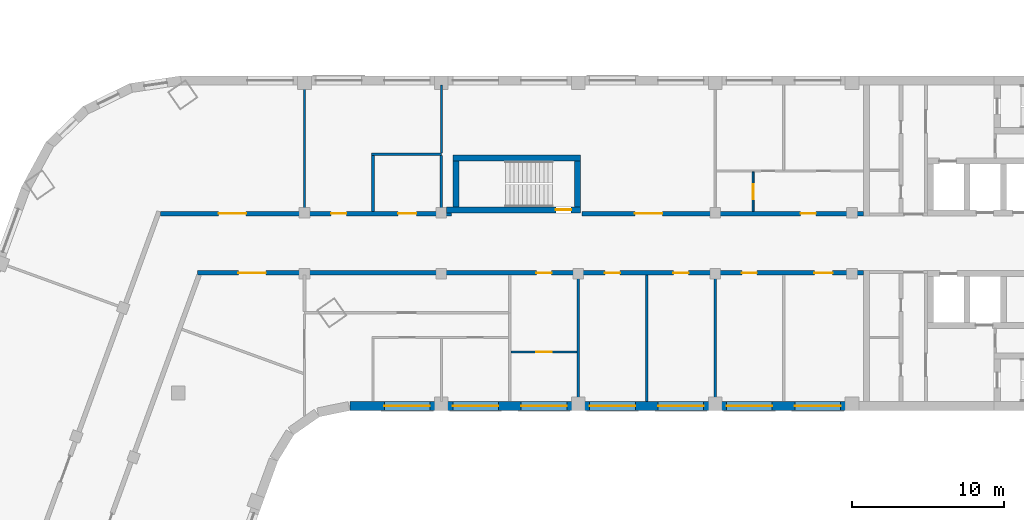
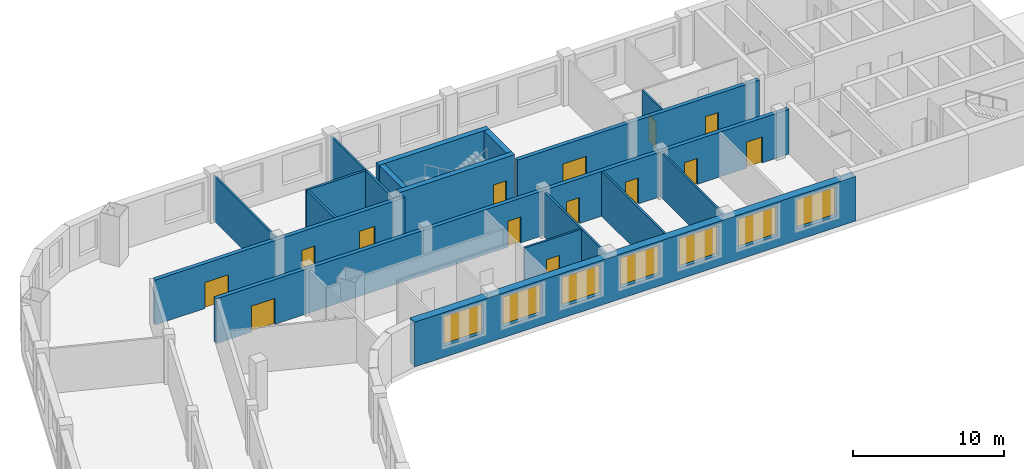
# One storey, part 4 of 12: 18 walls, 14 doors, 7 windows, 21 openings.
"""IFC4 building model written with IfcOpenShell, lengths in metres."""

from ifc_helpers import new_model, si_unit, direction, frame, frame_2d, origin, place, context, subcontext, project, spatial, rectangle, extrude, material, layer, layer_set, type_object, element, fill, save


model = new_model("IFC4")

# Units and contexts
model_context = context("Model", 3, precision=1e-05, world=origin(), true_north=direction((0.0, 1.0)))
body_context = subcontext(model_context, "Body", "Model", "MODEL_VIEW")
ifc_project = project(units=[si_unit("LENGTHUNIT", "METRE"), si_unit("AREAUNIT", "SQUARE_METRE"), si_unit("VOLUMEUNIT", "CUBIC_METRE"), si_unit("PLANEANGLEUNIT", "RADIAN"), si_unit("MASSUNIT", "GRAM", prefix="KILO")], contexts=[model_context])

# Site, building, storey
site_placement = place(None, origin())
site = spatial("IfcSite", under=ifc_project, at=site_placement, CompositionType="ELEMENT")
building_placement = place(site_placement, origin())
building = spatial("IfcBuilding", under=site, at=building_placement, Name="Skarvind Civic Tower", CompositionType="ELEMENT")
storey_placement = place(building_placement, frame((0.0, 0.0, 35.5)))
storey = spatial("IfcBuildingStorey", under=building, at=storey_placement, Name="L07", CompositionType="ELEMENT", Elevation=35.5)

# Walls
ifc_material_1 = material(Name="Acoustic gypsum board on steel studs", Category="steel")
ifc_layer_1 = layer(ifc_material_1, 0.175048828125)
ifc_layer_set_1 = layer_set([ifc_layer_1], Name="ACOUSTIC MEETING-ROOM PARTITION 175")
wall_type_1 = type_object("IfcWallType", Name="ACOUSTIC MEETING-ROOM PARTITION 175", PredefinedType="PARTITIONING", material=ifc_layer_set_1)
wall_1_placement = place(storey_placement, frame((58.75, 130.10009765625, 0.0), z_axis=(0.0, 0.0, 1.0), x_axis=(0.0, 1.0, 0.0)))
element("IfcWall", 1, at=wall_1_placement, inside=storey, type_object=wall_type_1, Name="Partition 07.014", PredefinedType="PARTITIONING", context=body_context, shape_type="SweptSolid", body=[
    extrude(rectangle(XDim=3.661865234375, YDim=0.175048828125, at=frame_2d((1.8310546875, 0.0))), origin(), (0.0, 0.0, 1.0), 3.625),
])
wall_2_placement = place(storey_placement, frame((58.662109375, 133.85009765625, 0.0), z_axis=(0.0, 0.0, 1.0), x_axis=(1.0, 0.0, 0.0)))
element("IfcWall", 2, at=wall_2_placement, inside=storey, type_object=wall_type_1, Name="Partition 07.015", PredefinedType="PARTITIONING", context=body_context, shape_type="SweptSolid", body=[
    extrude(rectangle(XDim=4.587890625, YDim=0.175048828125, at=frame_2d((2.2939453125, 0.0))), origin(), (0.0, 0.0, 1.0), 3.625),
])
wall_3_placement = place(storey_placement, frame((63.25, 130.10009765625, 0.0), z_axis=(0.0, 0.0, 1.0), x_axis=(0.0, 1.0, 0.0)))
element("IfcWall", 3, at=wall_3_placement, inside=storey, type_object=wall_type_1, Name="Partition 07.017", PredefinedType="PARTITIONING", context=body_context, shape_type="SweptSolid", body=[
    extrude(rectangle(XDim=3.677978515625, YDim=0.175048828125, at=frame_2d((1.8388671875, 0.0))), origin(), (0.0, 0.0, 1.0), 3.625),
])

# Wall, openings, doors
ifc_material_2 = material(Name="Fire-rated gypsum board on steel studs", Category="steel")
ifc_layer_2 = layer(ifc_material_2, 0.300048828125)
ifc_layer_set_2 = layer_set([ifc_layer_2], Name="CORRIDOR WALL 300")
wall_type_2 = type_object("IfcWallType", Name="CORRIDOR WALL 300", PredefinedType="PARTITIONING", material=ifc_layer_set_2)
wall_4_placement = place(storey_placement, frame((44.784912109375, 129.949951171875, 0.0), z_axis=(0.0, 0.0, 1.0), x_axis=(1.0, 0.0, 0.0)))
wall_4 = element("IfcWall", 4, at=wall_4_placement, inside=storey, type_object=wall_type_2, Name="Partition 07.005", PredefinedType="PARTITIONING", context=body_context, shape_type="SweptSolid", body=[
    extrude(rectangle(XDim=19.114990234375, YDim=0.300048828125, at=frame_2d((9.5576171875, 0.0))), origin(), (0.0, 0.0, 1.0), 3.625),
])
opening_1_placement = place(wall_4_placement, frame((15.614990234375, 0.0, 0.0)))
opening_1 = element("IfcOpeningElement", 5, at=opening_1_placement, cuts=wall_4, Name="Opening L07-D006", PredefinedType="OPENING", context=body_context, shape_type="SweptSolid", body=[
    extrude(rectangle(XDim=1.199951171875, YDim=2.10009765625, at=frame_2d((0.60009765625, 1.050048828125))), frame((0.0, 0.159912109375, 0.0), z_axis=(0.0, -1.0, 0.0), x_axis=(1.0, 0.0, 0.0)), (0.0, 0.0, 1.0), 0.320068359375),
])
opening_2_placement = place(wall_4_placement, frame((11.215087890625, 0.0, 0.0)))
opening_2 = element("IfcOpeningElement", 6, at=opening_2_placement, cuts=wall_4, Name="Opening L07-D007", PredefinedType="OPENING", context=body_context, shape_type="SweptSolid", body=[
    extrude(rectangle(XDim=1.0, YDim=2.10009765625, at=frame_2d((0.5, 1.050048828125))), frame((0.0, 0.159912109375, 0.0), z_axis=(0.0, -1.0, 0.0), x_axis=(1.0, 0.0, 0.0)), (0.0, 0.0, 1.0), 0.320068359375),
])
opening_3_placement = place(wall_4_placement, frame((3.822509765625, 0.0, 0.0)))
opening_3 = element("IfcOpeningElement", 7, at=opening_3_placement, cuts=wall_4, Name="Opening L07-D020", PredefinedType="OPENING", context=body_context, shape_type="SweptSolid", body=[
    extrude(rectangle(XDim=1.800048828125, YDim=2.10009765625, at=frame_2d((0.89990234375, 1.050048828125))), frame((0.0, 0.159912109375, 0.0), z_axis=(0.0, -1.0, 0.0), x_axis=(1.0, 0.0, 0.0)), (0.0, 0.0, 1.0), 0.320068359375),
])
ifc_material_3 = material(Name="Fire-rated timber door leaf", Category="wood")
door_type_1 = type_object("IfcDoorType", Name="FD1 1000x2100", OperationType="NOTDEFINED", PredefinedType="DOOR", material=ifc_material_3)
door_1_placement = place(opening_2_placement, origin())
door_1 = element("IfcDoor", 8, at=door_1_placement, inside=storey, type_object=door_type_1, Name="Door L07-D007", OperationType="SINGLE_SWING_LEFT", OverallHeight=2.10009765625, OverallWidth=1.0, PredefinedType="DOOR", context=body_context, shape_type="SweptSolid", body=[
    extrude(rectangle(XDim=1.0, YDim=2.10009765625, at=frame_2d((0.5, 1.050048828125))), frame((0.0, 0.02490234375, 0.0), z_axis=(0.0, -1.0, 0.0), x_axis=(1.0, 0.0, 0.0)), (0.0, 0.0, 1.0), 0.050048828125),
])
fill(opening_2, door_1)
door_type_2 = type_object("IfcDoorType", Name="FD4 1800x2100", OperationType="NOTDEFINED", PredefinedType="DOOR", material=ifc_material_3)
door_2_placement = place(opening_3_placement, origin())
door_2 = element("IfcDoor", 9, at=door_2_placement, inside=storey, type_object=door_type_2, Name="Door L07-D020", OperationType="DOUBLE_DOOR_SINGLE_SWING", OverallHeight=2.10009765625, OverallWidth=1.800048828125, PredefinedType="DOOR", context=body_context, shape_type="SweptSolid", body=[
    extrude(rectangle(XDim=1.800048828125, YDim=2.10009765625, at=frame_2d((0.89990234375, 1.050048828125))), frame((0.0, 0.02490234375, 0.0), z_axis=(0.0, -1.0, 0.0), x_axis=(1.0, 0.0, 0.0)), (0.0, 0.0, 1.0), 0.050048828125),
])
fill(opening_3, door_2)
door_type_3 = type_object("IfcDoorType", Name="FD6 1200x2100 DOUBLE", OperationType="NOTDEFINED", PredefinedType="DOOR", material=ifc_material_3)
door_3_placement = place(opening_1_placement, origin())
door_3 = element("IfcDoor", 10, at=door_3_placement, inside=storey, type_object=door_type_3, Name="Door L07-D006", OperationType="DOUBLE_DOOR_SINGLE_SWING", OverallHeight=2.10009765625, OverallWidth=1.199951171875, PredefinedType="DOOR", context=body_context, shape_type="SweptSolid", body=[
    extrude(rectangle(XDim=1.199951171875, YDim=2.10009765625, at=frame_2d((0.60009765625, 1.050048828125))), frame((0.0, 0.02490234375, 0.0), z_axis=(0.0, -1.0, 0.0), x_axis=(1.0, 0.0, 0.0)), (0.0, 0.0, 1.0), 0.050048828125),
])
fill(opening_1, door_3)

wall_5_placement = place(storey_placement, frame((72.5, 129.949951171875, 0.0), z_axis=(0.0, 0.0, 1.0), x_axis=(1.0, 0.0, 0.0)))
wall_5 = element("IfcWall", 11, at=wall_5_placement, inside=storey, type_object=wall_type_2, Name="Partition 07.023", PredefinedType="PARTITIONING", context=body_context, shape_type="SweptSolid", body=[
    extrude(rectangle(XDim=18.5, YDim=0.300048828125, at=frame_2d((9.25, 0.0))), origin(), (0.0, 0.0, 1.0), 3.625),
])
opening_4_placement = place(wall_5_placement, frame((14.375, 0.0, 0.0)))
opening_4 = element("IfcOpeningElement", 12, at=opening_4_placement, cuts=wall_5, Name="Opening L07-D001", PredefinedType="OPENING", context=body_context, shape_type="SweptSolid", body=[
    extrude(rectangle(XDim=1.0, YDim=2.10009765625, at=frame_2d((0.5, 1.050048828125))), frame((0.0, 0.159912109375, 0.0), z_axis=(0.0, -1.0, 0.0), x_axis=(1.0, 0.0, 0.0)), (0.0, 0.0, 1.0), 0.320068359375),
])
opening_5_placement = place(wall_5_placement, frame((3.47509765625, 0.0, 0.0)))
opening_5 = element("IfcOpeningElement", 13, at=opening_5_placement, cuts=wall_5, Name="Opening L07-D005", PredefinedType="OPENING", context=body_context, shape_type="SweptSolid", body=[
    extrude(rectangle(XDim=1.800048828125, YDim=2.10009765625, at=frame_2d((0.89990234375, 1.050048828125))), frame((0.0, 0.159912109375, 0.0), z_axis=(0.0, -1.0, 0.0), x_axis=(1.0, 0.0, 0.0)), (0.0, 0.0, 1.0), 0.320068359375),
])
door_4_placement = place(opening_4_placement, origin())
door_4 = element("IfcDoor", 14, at=door_4_placement, inside=storey, type_object=door_type_1, Name="Door L07-D001", OperationType="SINGLE_SWING_LEFT", OverallHeight=2.10009765625, OverallWidth=1.0, PredefinedType="DOOR", context=body_context, shape_type="SweptSolid", body=[
    extrude(rectangle(XDim=1.0, YDim=2.10009765625, at=frame_2d((0.5, 1.050048828125))), frame((0.0, 0.02490234375, 0.0), z_axis=(0.0, -1.0, 0.0), x_axis=(1.0, 0.0, 0.0)), (0.0, 0.0, 1.0), 0.050048828125),
])
fill(opening_4, door_4)
door_5_placement = place(opening_5_placement, origin())
door_5 = element("IfcDoor", 15, at=door_5_placement, inside=storey, type_object=door_type_2, Name="Door L07-D005", OperationType="DOUBLE_DOOR_SINGLE_SWING", OverallHeight=2.10009765625, OverallWidth=1.800048828125, PredefinedType="DOOR", context=body_context, shape_type="SweptSolid", body=[
    extrude(rectangle(XDim=1.800048828125, YDim=2.10009765625, at=frame_2d((0.89990234375, 1.050048828125))), frame((0.0, 0.02490234375, 0.0), z_axis=(0.0, -1.0, 0.0), x_axis=(1.0, 0.0, 0.0)), (0.0, 0.0, 1.0), 0.050048828125),
])
fill(opening_5, door_5)

wall_6_placement = place(storey_placement, frame((91.0, 126.050048828125, 0.0), z_axis=(0.0, 0.0, 1.0), x_axis=(-1.0, 0.0, 0.0)))
wall_6 = element("IfcWall", 16, at=wall_6_placement, inside=storey, type_object=wall_type_2, Name="Partition 07.031", PredefinedType="PARTITIONING", context=body_context, shape_type="SweptSolid", body=[
    extrude(rectangle(XDim=43.784912109375, YDim=0.300048828125, at=frame_2d((21.892578125, 0.0))), origin(), (0.0, 0.0, 1.0), 3.625),
])
opening_6_placement = place(wall_6_placement, frame((2.02490234375, 0.0, 0.0)))
opening_6 = element("IfcOpeningElement", 17, at=opening_6_placement, cuts=wall_6, Name="Opening L07-D008", PredefinedType="OPENING", context=body_context, shape_type="SweptSolid", body=[
    extrude(rectangle(XDim=1.199951171875, YDim=2.10009765625, at=frame_2d((0.60009765625, 1.050048828125))), frame((0.0, 0.159912109375, 0.0), z_axis=(0.0, -1.0, 0.0), x_axis=(1.0, 0.0, 0.0)), (0.0, 0.0, 1.0), 0.320068359375),
])
opening_7_placement = place(wall_6_placement, frame((7.0, 0.0, 0.0)))
opening_7 = element("IfcOpeningElement", 18, at=opening_7_placement, cuts=wall_6, Name="Opening L07-D009", PredefinedType="OPENING", context=body_context, shape_type="SweptSolid", body=[
    extrude(rectangle(XDim=1.0, YDim=2.10009765625, at=frame_2d((0.5, 1.050048828125))), frame((0.0, 0.159912109375, 0.0), z_axis=(0.0, -1.0, 0.0), x_axis=(1.0, 0.0, 0.0)), (0.0, 0.0, 1.0), 0.320068359375),
])
opening_8_placement = place(wall_6_placement, frame((11.5, 0.0, 0.0)))
opening_8 = element("IfcOpeningElement", 19, at=opening_8_placement, cuts=wall_6, Name="Opening L07-D010", PredefinedType="OPENING", context=body_context, shape_type="SweptSolid", body=[
    extrude(rectangle(XDim=1.0, YDim=2.10009765625, at=frame_2d((0.5, 1.050048828125))), frame((0.0, 0.159912109375, 0.0), z_axis=(0.0, -1.0, 0.0), x_axis=(1.0, 0.0, 0.0)), (0.0, 0.0, 1.0), 0.320068359375),
])
opening_9_placement = place(wall_6_placement, frame((16.0, 0.0, 0.0)))
opening_9 = element("IfcOpeningElement", 20, at=opening_9_placement, cuts=wall_6, Name="Opening L07-D011", PredefinedType="OPENING", context=body_context, shape_type="SweptSolid", body=[
    extrude(rectangle(XDim=1.0, YDim=2.10009765625, at=frame_2d((0.5, 1.050048828125))), frame((0.0, 0.159912109375, 0.0), z_axis=(0.0, -1.0, 0.0), x_axis=(1.0, 0.0, 0.0)), (0.0, 0.0, 1.0), 0.320068359375),
])
opening_10_placement = place(wall_6_placement, frame((20.5, 0.0, 0.0)))
opening_10 = element("IfcOpeningElement", 21, at=opening_10_placement, cuts=wall_6, Name="Opening L07-D012", PredefinedType="OPENING", context=body_context, shape_type="SweptSolid", body=[
    extrude(rectangle(XDim=1.0, YDim=2.10009765625, at=frame_2d((0.5, 1.050048828125))), frame((0.0, 0.159912109375, 0.0), z_axis=(0.0, -1.0, 0.0), x_axis=(1.0, 0.0, 0.0)), (0.0, 0.0, 1.0), 0.320068359375),
])
opening_11_placement = place(wall_6_placement, frame((39.2958984375, 0.0, 0.0)))
opening_11 = element("IfcOpeningElement", 22, at=opening_11_placement, cuts=wall_6, Name="Opening L07-D021", PredefinedType="OPENING", context=body_context, shape_type="SweptSolid", body=[
    extrude(rectangle(XDim=1.800048828125, YDim=2.10009765625, at=frame_2d((0.89990234375, 1.050048828125))), frame((0.0, 0.159912109375, 0.0), z_axis=(0.0, -1.0, 0.0), x_axis=(1.0, 0.0, 0.0)), (0.0, 0.0, 1.0), 0.320068359375),
])
door_6_placement = place(opening_7_placement, origin())
door_6 = element("IfcDoor", 23, at=door_6_placement, inside=storey, type_object=door_type_1, Name="Door L07-D009", OperationType="SINGLE_SWING_RIGHT", OverallHeight=2.10009765625, OverallWidth=1.0, PredefinedType="DOOR", context=body_context, shape_type="SweptSolid", body=[
    extrude(rectangle(XDim=1.0, YDim=2.10009765625, at=frame_2d((0.5, 1.050048828125))), frame((0.0, 0.02490234375, 0.0), z_axis=(0.0, -1.0, 0.0), x_axis=(1.0, 0.0, 0.0)), (0.0, 0.0, 1.0), 0.050048828125),
])
fill(opening_7, door_6)
door_7_placement = place(opening_8_placement, origin())
door_7 = element("IfcDoor", 24, at=door_7_placement, inside=storey, type_object=door_type_1, Name="Door L07-D010", OperationType="SINGLE_SWING_LEFT", OverallHeight=2.10009765625, OverallWidth=1.0, PredefinedType="DOOR", context=body_context, shape_type="SweptSolid", body=[
    extrude(rectangle(XDim=1.0, YDim=2.10009765625, at=frame_2d((0.5, 1.050048828125))), frame((0.0, 0.02490234375, 0.0), z_axis=(0.0, -1.0, 0.0), x_axis=(1.0, 0.0, 0.0)), (0.0, 0.0, 1.0), 0.050048828125),
])
fill(opening_8, door_7)
door_8_placement = place(opening_9_placement, origin())
door_8 = element("IfcDoor", 25, at=door_8_placement, inside=storey, type_object=door_type_1, Name="Door L07-D011", OperationType="SINGLE_SWING_LEFT", OverallHeight=2.10009765625, OverallWidth=1.0, PredefinedType="DOOR", context=body_context, shape_type="SweptSolid", body=[
    extrude(rectangle(XDim=1.0, YDim=2.10009765625, at=frame_2d((0.5, 1.050048828125))), frame((0.0, 0.02490234375, 0.0), z_axis=(0.0, -1.0, 0.0), x_axis=(1.0, 0.0, 0.0)), (0.0, 0.0, 1.0), 0.050048828125),
])
fill(opening_9, door_8)
door_9_placement = place(opening_10_placement, origin())
door_9 = element("IfcDoor", 26, at=door_9_placement, inside=storey, type_object=door_type_1, Name="Door L07-D012", OperationType="SINGLE_SWING_LEFT", OverallHeight=2.10009765625, OverallWidth=1.0, PredefinedType="DOOR", context=body_context, shape_type="SweptSolid", body=[
    extrude(rectangle(XDim=1.0, YDim=2.10009765625, at=frame_2d((0.5, 1.050048828125))), frame((0.0, 0.02490234375, 0.0), z_axis=(0.0, -1.0, 0.0), x_axis=(1.0, 0.0, 0.0)), (0.0, 0.0, 1.0), 0.050048828125),
])
fill(opening_10, door_9)
door_10_placement = place(opening_11_placement, origin())
door_10 = element("IfcDoor", 27, at=door_10_placement, inside=storey, type_object=door_type_2, Name="Door L07-D021", OperationType="DOUBLE_DOOR_SINGLE_SWING", OverallHeight=2.10009765625, OverallWidth=1.800048828125, PredefinedType="DOOR", context=body_context, shape_type="SweptSolid", body=[
    extrude(rectangle(XDim=1.800048828125, YDim=2.10009765625, at=frame_2d((0.89990234375, 1.050048828125))), frame((0.0, 0.02490234375, 0.0), z_axis=(0.0, -1.0, 0.0), x_axis=(1.0, 0.0, 0.0)), (0.0, 0.0, 1.0), 0.050048828125),
])
fill(opening_11, door_10)
door_11_placement = place(opening_6_placement, origin())
door_11 = element("IfcDoor", 28, at=door_11_placement, inside=storey, type_object=door_type_3, Name="Door L07-D008", OperationType="DOUBLE_DOOR_SINGLE_SWING", OverallHeight=2.10009765625, OverallWidth=1.199951171875, PredefinedType="DOOR", context=body_context, shape_type="SweptSolid", body=[
    extrude(rectangle(XDim=1.199951171875, YDim=2.10009765625, at=frame_2d((0.60009765625, 1.050048828125))), frame((0.0, 0.02490234375, 0.0), z_axis=(0.0, -1.0, 0.0), x_axis=(1.0, 0.0, 0.0)), (0.0, 0.0, 1.0), 0.050048828125),
])
fill(opening_6, door_11)

# Wall, opening, door
ifc_material_4 = material(Name="Concrete C80", Category="concrete")
ifc_layer_3 = layer(ifc_material_4, 0.39990234375)
ifc_layer_set_3 = layer_set([ifc_layer_3], Name="Core wall 400 C80")
wall_type_3 = type_object("IfcWallType", Name="Core wall 400 C80", PredefinedType="SHEAR", material=ifc_layer_set_3)
wall_7_placement = place(storey_placement, frame((63.60009765625, 130.199951171875, 0.0), z_axis=(0.0, 0.0, 1.0), x_axis=(1.0, 0.0, 0.0)))
wall_7 = element("IfcWall", 29, at=wall_7_placement, inside=storey, type_object=wall_type_3, Name="Core wall CM inner L07", PredefinedType="SHEAR", context=body_context, shape_type="SweptSolid", body=[
    extrude(rectangle(XDim=8.7998046875, YDim=0.39990234375, at=frame_2d((4.39990234375, 0.0))), origin(), (0.0, 0.0, 1.0), 4.0),
])
opening_12_placement = place(wall_7_placement, frame((7.175048828125, 0.0, 0.0)))
opening_12 = element("IfcOpeningElement", 30, at=opening_12_placement, cuts=wall_7, Name="Opening D-L07-CM-01", PredefinedType="OPENING", context=body_context, shape_type="SweptSolid", body=[
    extrude(rectangle(XDim=1.0, YDim=2.10009765625, at=frame_2d((0.5, 1.050048828125))), frame((0.0, 0.2099609375, 0.0), z_axis=(0.0, -1.0, 0.0), x_axis=(1.0, 0.0, 0.0)), (0.0, 0.0, 1.0), 0.419921875),
])
ifc_material_5 = material(Name="Fire-rated steel door", Category="steel")
door_type_4 = type_object("IfcDoorType", Name="Fire door 1000", OperationType="NOTDEFINED", PredefinedType="DOOR", material=ifc_material_5)
door_12_placement = place(opening_12_placement, origin())
door_12 = element("IfcDoor", 31, at=door_12_placement, inside=storey, type_object=door_type_4, Name="Fire door", OperationType="SINGLE_SWING_LEFT", OverallHeight=2.10009765625, OverallWidth=1.0, PredefinedType="DOOR", context=body_context, shape_type="SweptSolid", body=[
    extrude(rectangle(XDim=1.0, YDim=2.10009765625, at=frame_2d((0.5, 1.050048828125))), frame((0.0, 0.02490234375, 0.0), z_axis=(0.0, -1.0, 0.0), x_axis=(1.0, 0.0, 0.0)), (0.0, 0.0, 1.0), 0.050048828125),
])
fill(opening_12, door_12)

# Walls
wall_8_placement = place(storey_placement, frame((64.0, 133.60009765625, 0.0), z_axis=(0.0, 0.0, 1.0), x_axis=(1.0, 0.0, 0.0)))
element("IfcWall", 32, at=wall_8_placement, inside=storey, type_object=wall_type_3, Name="Core wall CM outer L07", PredefinedType="SHEAR", context=body_context, shape_type="SweptSolid", body=[
    extrude(rectangle(XDim=8.39990234375, YDim=0.39990234375, at=frame_2d((4.199951171875, 0.0))), origin(), (0.0, 0.0, 1.0), 4.0),
])
for number, where, z_axis, x_axis, name in (
    (33, (64.199951171875, 130.39990234375, 0.0), (0.0, 0.0, 1.0), (0.0, 1.0, 0.0), "Core wall CM west L07"),
    (34, (72.199951171875, 130.39990234375, 0.0), (0.0, 0.0, 1.0), (0.0, 1.0, 0.0), "Core wall CM end L07"),
):
    element("IfcWall", number, at=place(storey_placement, frame(where, z_axis=z_axis, x_axis=x_axis)), inside=storey, type_object=wall_type_3, Name=name, PredefinedType="SHEAR", context=body_context, shape_type="SweptSolid", body=[
        extrude(rectangle(XDim=3.0, YDim=0.39990234375, at=frame_2d((1.5, 0.0))), origin(), (0.0, 0.0, 1.0), 4.0),
    ])
ifc_material_6 = material(Name="Plasterboard partition on steel studs", Category="steel")
ifc_layer_4 = layer(ifc_material_6, 0.14990234375)
ifc_layer_set_4 = layer_set([ifc_layer_4], Name="PARTITION 150")
wall_type_4 = type_object("IfcWallType", Name="PARTITION 150", PredefinedType="PARTITIONING", material=ifc_layer_set_4)
wall_9_placement = place(storey_placement, frame((54.25, 138.39990234375, 0.0), z_axis=(0.0, 0.0, 1.0), x_axis=(0.0, -1.0, 0.0)))
element("IfcWall", 35, at=wall_9_placement, inside=storey, type_object=wall_type_4, Name="Partition 07.011", PredefinedType="PARTITIONING", context=body_context, shape_type="SweptSolid", body=[
    extrude(rectangle(XDim=8.2998046875, YDim=0.14990234375, at=frame_2d((4.14990234375, 0.0))), origin(), (0.0, 0.0, 1.0), 3.625),
])
wall_10_placement = place(storey_placement, frame((63.25, 133.93408203125, 0.0), z_axis=(0.0, 0.0, 1.0), x_axis=(0.0, 1.0, 0.0)))
element("IfcWall", 36, at=wall_10_placement, inside=storey, type_object=wall_type_4, Name="Partition 07.018", PredefinedType="PARTITIONING", context=body_context, shape_type="SweptSolid", body=[
    extrude(rectangle(XDim=4.4658203125, YDim=0.14990234375, at=frame_2d((2.23291015625, 0.0))), origin(), (0.0, 0.0, 1.0), 3.625),
])

# Wall, opening, door
wall_11_placement = place(storey_placement, frame((67.824951171875, 120.85009765625, 0.0), z_axis=(0.0, 0.0, 1.0), x_axis=(1.0, 0.0, 0.0)))
wall_11 = element("IfcWall", 37, at=wall_11_placement, inside=storey, type_object=wall_type_4, Name="Partition 07.020", PredefinedType="PARTITIONING", context=body_context, shape_type="SweptSolid", body=[
    extrude(rectangle(XDim=4.35009765625, YDim=0.14990234375, at=frame_2d((2.175048828125, 0.0))), origin(), (0.0, 0.0, 1.0), 3.625),
])
opening_13_placement = place(wall_11_placement, frame((1.675048828125, 0.0, 0.0)))
opening_13 = element("IfcOpeningElement", 38, at=opening_13_placement, cuts=wall_11, Name="Opening L07-D015", PredefinedType="OPENING", context=body_context, shape_type="SweptSolid", body=[
    extrude(rectangle(XDim=1.0, YDim=2.10009765625, at=frame_2d((0.5, 1.050048828125))), frame((0.0, 0.0849609375, 0.0), z_axis=(0.0, -1.0, 0.0), x_axis=(1.0, 0.0, 0.0)), (0.0, 0.0, 1.0), 0.169921875),
])
ifc_material_7 = material(Name="Timber door leaf", Category="wood")
door_type_5 = type_object("IfcDoorType", Name="D1 1000x2100", OperationType="NOTDEFINED", PredefinedType="DOOR", material=ifc_material_7)
door_13_placement = place(opening_13_placement, origin())
door_13 = element("IfcDoor", 39, at=door_13_placement, inside=storey, type_object=door_type_5, Name="Door L07-D015", OperationType="SINGLE_SWING_LEFT", OverallHeight=2.10009765625, OverallWidth=1.0, PredefinedType="DOOR", context=body_context, shape_type="SweptSolid", body=[
    extrude(rectangle(XDim=1.0, YDim=2.10009765625, at=frame_2d((0.5, 1.050048828125))), frame((0.0, 0.02490234375, 0.0), z_axis=(0.0, -1.0, 0.0), x_axis=(1.0, 0.0, 0.0)), (0.0, 0.0, 1.0), 0.050048828125),
])
fill(opening_13, door_13)

# Walls
for number, where, z_axis, x_axis, name in (
    (40, (72.25, 117.60009765625, 0.0), (0.0, 0.0, 1.0), (0.0, 1.0, 0.0), "Partition 07.022"),
    (41, (76.75, 117.60009765625, 0.0), (0.0, 0.0, 1.0), (0.0, 1.0, 0.0), "Partition 07.024"),
    (42, (81.25, 117.60009765625, 0.0), (0.0, 0.0, 1.0), (0.0, 1.0, 0.0), "Partition 07.025"),
):
    element("IfcWall", number, at=place(storey_placement, frame(where, z_axis=z_axis, x_axis=x_axis)), inside=storey, type_object=wall_type_4, Name=name, PredefinedType="PARTITIONING", context=body_context, shape_type="SweptSolid", body=[
        extrude(rectangle(XDim=8.2998046875, YDim=0.14990234375, at=frame_2d((4.14990234375, 0.0))), origin(), (0.0, 0.0, 1.0), 3.625),
    ])

# Wall, opening, door
ifc_material_8 = material(Name="Moisture-resistant gypsum board on steel studs", Category="steel")
ifc_layer_5 = layer(ifc_material_8, 0.125)
ifc_layer_set_5 = layer_set([ifc_layer_5], Name="WC PARTITION 125")
wall_type_5 = type_object("IfcWallType", Name="WC PARTITION 125", PredefinedType="PARTITIONING", material=ifc_layer_set_5)
wall_12_placement = place(storey_placement, frame((83.75, 130.10009765625, 0.0), z_axis=(0.0, 0.0, 1.0), x_axis=(0.0, 1.0, 0.0)))
wall_12 = element("IfcWall", 43, at=wall_12_placement, inside=storey, type_object=wall_type_5, Name="Partition 07.028", PredefinedType="PARTITIONING", context=body_context, shape_type="SweptSolid", body=[
    extrude(rectangle(XDim=2.587890625, YDim=0.125, at=frame_2d((1.2939453125, 0.0))), origin(), (0.0, 0.0, 1.0), 3.625),
])
opening_14_placement = place(wall_12_placement, frame((0.7939453125, 0.0, 0.0)))
opening_14 = element("IfcOpeningElement", 44, at=opening_14_placement, cuts=wall_12, Name="Opening L07-D002", PredefinedType="OPENING", context=body_context, shape_type="SweptSolid", body=[
    extrude(rectangle(XDim=1.0, YDim=2.10009765625, at=frame_2d((0.5, 1.050048828125))), frame((0.0, 0.072509765625, 0.0), z_axis=(0.0, -1.0, 0.0), x_axis=(1.0, 0.0, 0.0)), (0.0, 0.0, 1.0), 0.14501953125),
])
door_14_placement = place(opening_14_placement, origin())
door_14 = element("IfcDoor", 45, at=door_14_placement, inside=storey, type_object=door_type_5, Name="Door L07-D002", OperationType="SINGLE_SWING_RIGHT", OverallHeight=2.10009765625, OverallWidth=1.0, PredefinedType="DOOR", context=body_context, shape_type="SweptSolid", body=[
    extrude(rectangle(XDim=1.0, YDim=2.10009765625, at=frame_2d((0.5, 1.050048828125))), frame((0.0, 0.02490234375, 0.0), z_axis=(0.0, -1.0, 0.0), x_axis=(1.0, 0.0, 0.0)), (0.0, 0.0, 1.0), 0.050048828125),
])
fill(opening_14, door_14)

# Wall, openings, windows
ifc_material_9 = material(Name="Limestone masonry cladding on insulated backing", Category="masonry")
ifc_layer_6 = layer(ifc_material_9, 0.60009765625)
ifc_layer_set_6 = layer_set([ifc_layer_6], Name="WX1 STONE FACADE WALL 600")
wall_type_6 = type_object("IfcWallType", Name="WX1 STONE FACADE WALL 600", PredefinedType="SOLIDWALL", material=ifc_layer_set_6)
wall_13_placement = place(storey_placement, frame((90.97998046875, 117.300048828125, 0.0), z_axis=(0.0, 0.0, 1.0), x_axis=(-1.0, 0.0, 0.0)))
wall_13 = element("IfcWall", 46, at=wall_13_placement, inside=storey, type_object=wall_type_6, Name="STONE FACADE WALL", PredefinedType="SOLIDWALL", context=body_context, shape_type="SweptSolid", body=[
    extrude(rectangle(XDim=33.744873046875, YDim=0.60009765625, at=frame_2d((16.87255859375, 0.0))), origin(), (0.0, 0.0, 1.0), 3.625),
])
opening_15_placement = place(wall_13_placement, frame((1.47998046875, 0.0, 0.89990234375)))
opening_15 = element("IfcOpeningElement", 47, at=opening_15_placement, cuts=wall_13, Name="Opening WN1", PredefinedType="OPENING", context=body_context, shape_type="SweptSolid", body=[
    extrude(rectangle(XDim=3.0, YDim=2.39990234375, at=frame_2d((1.5, 1.199951171875))), frame((0.0, 0.31005859375, 0.0), z_axis=(0.0, -1.0, 0.0), x_axis=(1.0, 0.0, 0.0)), (0.0, 0.0, 1.0), 0.6201171875),
])
opening_16_placement = place(wall_13_placement, frame((5.97998046875, 0.0, 0.89990234375)))
opening_16 = element("IfcOpeningElement", 48, at=opening_16_placement, cuts=wall_13, Name="Opening WN1", PredefinedType="OPENING", context=body_context, shape_type="SweptSolid", body=[
    extrude(rectangle(XDim=3.0, YDim=2.39990234375, at=frame_2d((1.5, 1.199951171875))), frame((0.0, 0.31005859375, 0.0), z_axis=(0.0, -1.0, 0.0), x_axis=(1.0, 0.0, 0.0)), (0.0, 0.0, 1.0), 0.6201171875),
])
opening_17_placement = place(wall_13_placement, frame((10.47998046875, 0.0, 0.89990234375)))
opening_17 = element("IfcOpeningElement", 49, at=opening_17_placement, cuts=wall_13, Name="Opening WN1", PredefinedType="OPENING", context=body_context, shape_type="SweptSolid", body=[
    extrude(rectangle(XDim=3.0, YDim=2.39990234375, at=frame_2d((1.5, 1.199951171875))), frame((0.0, 0.31005859375, 0.0), z_axis=(0.0, -1.0, 0.0), x_axis=(1.0, 0.0, 0.0)), (0.0, 0.0, 1.0), 0.6201171875),
])
opening_18_placement = place(wall_13_placement, frame((14.97998046875, 0.0, 0.89990234375)))
opening_18 = element("IfcOpeningElement", 50, at=opening_18_placement, cuts=wall_13, Name="Opening WN1", PredefinedType="OPENING", context=body_context, shape_type="SweptSolid", body=[
    extrude(rectangle(XDim=3.0, YDim=2.39990234375, at=frame_2d((1.5, 1.199951171875))), frame((0.0, 0.31005859375, 0.0), z_axis=(0.0, -1.0, 0.0), x_axis=(1.0, 0.0, 0.0)), (0.0, 0.0, 1.0), 0.6201171875),
])
opening_19_placement = place(wall_13_placement, frame((19.47998046875, 0.0, 0.89990234375)))
opening_19 = element("IfcOpeningElement", 51, at=opening_19_placement, cuts=wall_13, Name="Opening WN1", PredefinedType="OPENING", context=body_context, shape_type="SweptSolid", body=[
    extrude(rectangle(XDim=3.0, YDim=2.39990234375, at=frame_2d((1.5, 1.199951171875))), frame((0.0, 0.31005859375, 0.0), z_axis=(0.0, -1.0, 0.0), x_axis=(1.0, 0.0, 0.0)), (0.0, 0.0, 1.0), 0.6201171875),
])
opening_20_placement = place(wall_13_placement, frame((23.97998046875, 0.0, 0.89990234375)))
opening_20 = element("IfcOpeningElement", 52, at=opening_20_placement, cuts=wall_13, Name="Opening WN1", PredefinedType="OPENING", context=body_context, shape_type="SweptSolid", body=[
    extrude(rectangle(XDim=3.0, YDim=2.39990234375, at=frame_2d((1.5, 1.199951171875))), frame((0.0, 0.31005859375, 0.0), z_axis=(0.0, -1.0, 0.0), x_axis=(1.0, 0.0, 0.0)), (0.0, 0.0, 1.0), 0.6201171875),
])
opening_21_placement = place(wall_13_placement, frame((28.47998046875, 0.0, 0.89990234375)))
opening_21 = element("IfcOpeningElement", 53, at=opening_21_placement, cuts=wall_13, Name="Opening WN1", PredefinedType="OPENING", context=body_context, shape_type="SweptSolid", body=[
    extrude(rectangle(XDim=3.0, YDim=2.39990234375, at=frame_2d((1.5, 1.199951171875))), frame((0.0, 0.31005859375, 0.0), z_axis=(0.0, -1.0, 0.0), x_axis=(1.0, 0.0, 0.0)), (0.0, 0.0, 1.0), 0.6201171875),
])
ifc_material_10 = material(Name="Timber frame, double glazing, timber-lined reveal", Category="wood")
window_type = type_object("IfcWindowType", Name="WN1 PUNCHED STONE WINDOW 3000 x 2400", PartitioningType="SINGLE_PANEL", PredefinedType="WINDOW", material=ifc_material_10)
window_1_placement = place(opening_15_placement, origin())
window_1 = element("IfcWindow", 54, at=window_1_placement, inside=storey, type_object=window_type, Name="WN1 WINDOW", OverallHeight=2.39990234375, OverallWidth=3.0, PartitioningType="SINGLE_PANEL", PredefinedType="WINDOW", context=body_context, shape_type="SweptSolid", body=[
    extrude(rectangle(XDim=3.0, YDim=2.39990234375, at=frame_2d((1.5, 1.199951171875))), frame((0.0, 0.030029296875, 0.0), z_axis=(0.0, -1.0, 0.0), x_axis=(1.0, 0.0, 0.0)), (0.0, 0.0, 1.0), 0.06005859375),
])
fill(opening_15, window_1)
window_2_placement = place(opening_16_placement, origin())
window_2 = element("IfcWindow", 55, at=window_2_placement, inside=storey, type_object=window_type, Name="WN1 WINDOW", OverallHeight=2.39990234375, OverallWidth=3.0, PartitioningType="SINGLE_PANEL", PredefinedType="WINDOW", context=body_context, shape_type="SweptSolid", body=[
    extrude(rectangle(XDim=3.0, YDim=2.39990234375, at=frame_2d((1.5, 1.199951171875))), frame((0.0, 0.030029296875, 0.0), z_axis=(0.0, -1.0, 0.0), x_axis=(1.0, 0.0, 0.0)), (0.0, 0.0, 1.0), 0.06005859375),
])
fill(opening_16, window_2)
window_3_placement = place(opening_17_placement, origin())
window_3 = element("IfcWindow", 56, at=window_3_placement, inside=storey, type_object=window_type, Name="WN1 WINDOW", OverallHeight=2.39990234375, OverallWidth=3.0, PartitioningType="SINGLE_PANEL", PredefinedType="WINDOW", context=body_context, shape_type="SweptSolid", body=[
    extrude(rectangle(XDim=3.0, YDim=2.39990234375, at=frame_2d((1.5, 1.199951171875))), frame((0.0, 0.030029296875, 0.0), z_axis=(0.0, -1.0, 0.0), x_axis=(1.0, 0.0, 0.0)), (0.0, 0.0, 1.0), 0.06005859375),
])
fill(opening_17, window_3)
window_4_placement = place(opening_18_placement, origin())
window_4 = element("IfcWindow", 57, at=window_4_placement, inside=storey, type_object=window_type, Name="WN1 WINDOW", OverallHeight=2.39990234375, OverallWidth=3.0, PartitioningType="SINGLE_PANEL", PredefinedType="WINDOW", context=body_context, shape_type="SweptSolid", body=[
    extrude(rectangle(XDim=3.0, YDim=2.39990234375, at=frame_2d((1.5, 1.199951171875))), frame((0.0, 0.030029296875, 0.0), z_axis=(0.0, -1.0, 0.0), x_axis=(1.0, 0.0, 0.0)), (0.0, 0.0, 1.0), 0.06005859375),
])
fill(opening_18, window_4)
window_5_placement = place(opening_19_placement, origin())
window_5 = element("IfcWindow", 58, at=window_5_placement, inside=storey, type_object=window_type, Name="WN1 WINDOW", OverallHeight=2.39990234375, OverallWidth=3.0, PartitioningType="SINGLE_PANEL", PredefinedType="WINDOW", context=body_context, shape_type="SweptSolid", body=[
    extrude(rectangle(XDim=3.0, YDim=2.39990234375, at=frame_2d((1.5, 1.199951171875))), frame((0.0, 0.030029296875, 0.0), z_axis=(0.0, -1.0, 0.0), x_axis=(1.0, 0.0, 0.0)), (0.0, 0.0, 1.0), 0.06005859375),
])
fill(opening_19, window_5)
window_6_placement = place(opening_20_placement, origin())
window_6 = element("IfcWindow", 59, at=window_6_placement, inside=storey, type_object=window_type, Name="WN1 WINDOW", OverallHeight=2.39990234375, OverallWidth=3.0, PartitioningType="SINGLE_PANEL", PredefinedType="WINDOW", context=body_context, shape_type="SweptSolid", body=[
    extrude(rectangle(XDim=3.0, YDim=2.39990234375, at=frame_2d((1.5, 1.199951171875))), frame((0.0, 0.030029296875, 0.0), z_axis=(0.0, -1.0, 0.0), x_axis=(1.0, 0.0, 0.0)), (0.0, 0.0, 1.0), 0.06005859375),
])
fill(opening_20, window_6)
window_7_placement = place(opening_21_placement, origin())
window_7 = element("IfcWindow", 60, at=window_7_placement, inside=storey, type_object=window_type, Name="WN1 WINDOW", OverallHeight=2.39990234375, OverallWidth=3.0, PartitioningType="SINGLE_PANEL", PredefinedType="WINDOW", context=body_context, shape_type="SweptSolid", body=[
    extrude(rectangle(XDim=3.0, YDim=2.39990234375, at=frame_2d((1.5, 1.199951171875))), frame((0.0, 0.030029296875, 0.0), z_axis=(0.0, -1.0, 0.0), x_axis=(1.0, 0.0, 0.0)), (0.0, 0.0, 1.0), 0.06005859375),
])
fill(opening_21, window_7)

save(model, "model.ifc")
